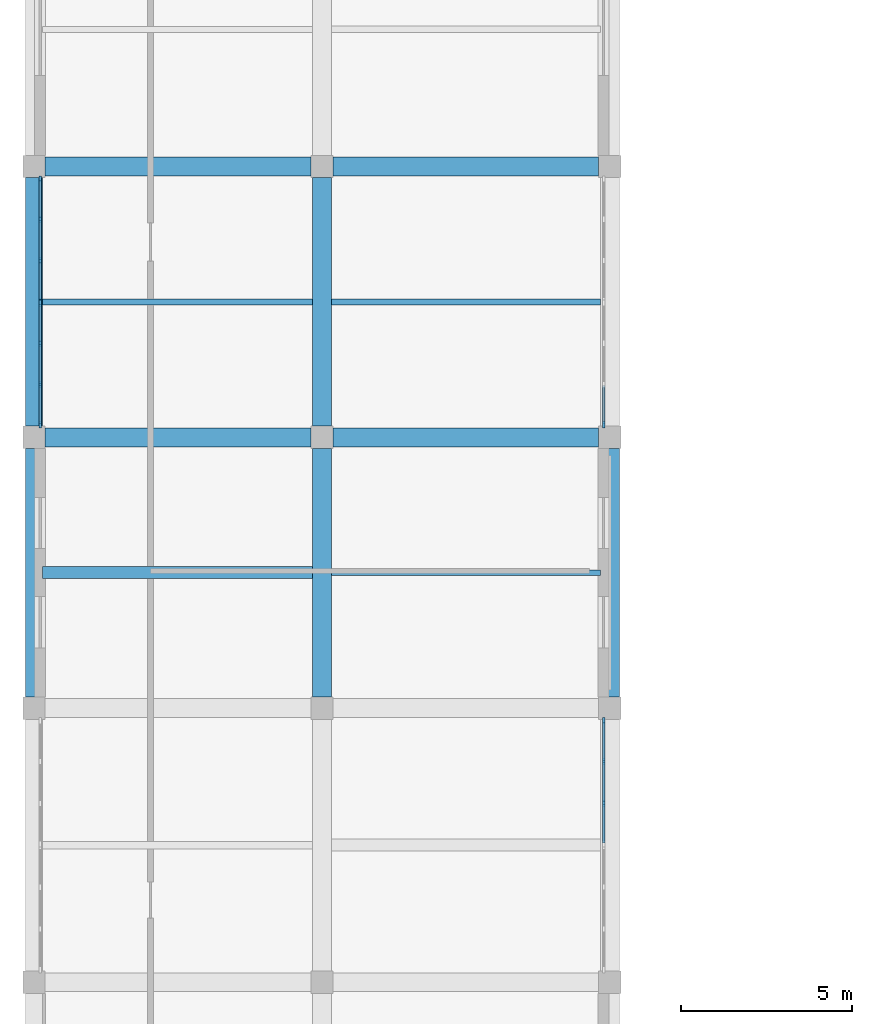
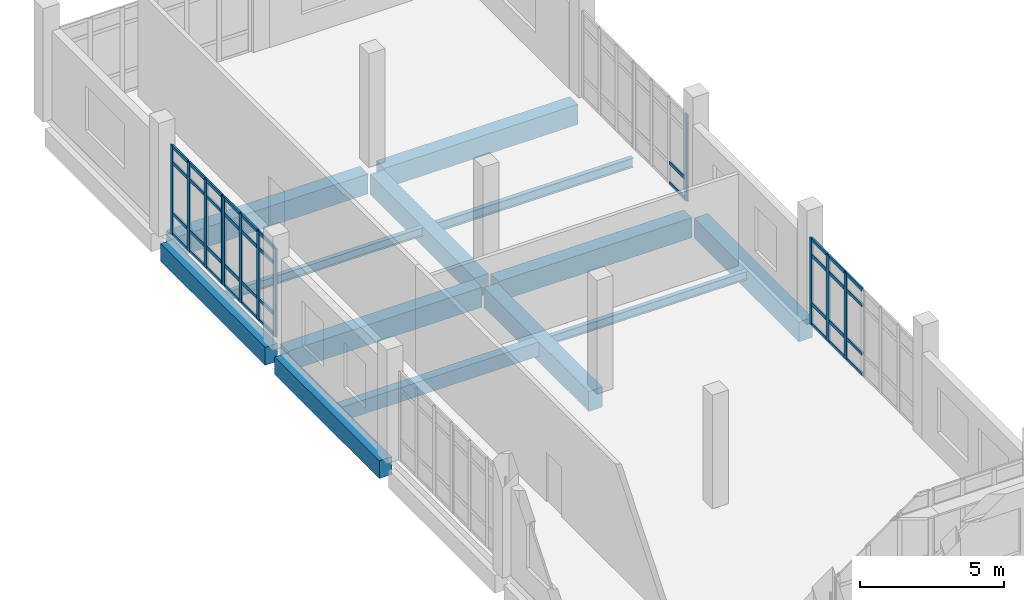
# One storey, part 10 of 90: 50 members, 13 beams, 4 elements without a shape of their own.
"""IFC4 building model written with IfcOpenShell, lengths in metres."""

from ifc_helpers import new_model, si_unit, direction, frame, origin, origin_2d, place, context, subcontext, project, spatial, rectangle, i_section, extrude, material, layer, layer_set, material_profile, profile_set, type_object, element, aggregate, save


model = new_model("IFC4")

# Units and contexts
model_context = context("Model", 3, precision=1e-05, world=origin(), true_north=direction((0.0, 1.0)))
body_context = subcontext(model_context, "Body", "Model", "MODEL_VIEW")
ifc_project = project(units=[si_unit("LENGTHUNIT", "METRE"), si_unit("AREAUNIT", "SQUARE_METRE"), si_unit("VOLUMEUNIT", "CUBIC_METRE"), si_unit("PLANEANGLEUNIT", "RADIAN"), si_unit("MASSUNIT", "GRAM", prefix="KILO")], contexts=[model_context])

# Site, building, storey
site_placement = place(None, origin())
site = spatial("IfcSite", under=ifc_project, at=site_placement, CompositionType="ELEMENT")
building_placement = place(site_placement, origin())
building = spatial("IfcBuilding", under=site, at=building_placement, Name="Kelarvand Opera House", CompositionType="ELEMENT")
storey_placement = place(building_placement, frame((0.0, 0.0, 5.39990234375)))
storey = spatial("IfcBuildingStorey", under=building, at=storey_placement, Name="L01", CompositionType="ELEMENT", Elevation=5.39990234375)

# Curtain wall, members
ifc_material_1 = material(Name="Thermally broken aluminium and low-E glazing", Category="aluminium")
ifc_layer_1 = layer(ifc_material_1, 0.179931640625, Name="Thermally broken aluminium and low-E glazing", Category="aluminium")
ifc_layer_set_1 = layer_set([ifc_layer_1], Name="Thermally broken aluminium and low-E glazing")
curtain_wall_type_1 = type_object("IfcCurtainWallType", Name="Unitised Low-E Curtain Wall 3611x3750 Mod 1350 CWF-29", PredefinedType="USERDEFINED", material=ifc_layer_set_1)
curtain_wall_1_placement = place(storey_placement, origin())
curtain_wall_1 = element("IfcCurtainWall", 1, at=curtain_wall_1_placement, inside=storey, type_object=curtain_wall_type_1, Name="V4 L01 Curtain Wall CWF-29 (141)", ObjectType="UNITISED CURTAIN WALL", PredefinedType="USERDEFINED")
ifc_material_2 = material(Name="Thermally broken anodised aluminium", Category="aluminium")
ifc_material_profile_1 = material_profile(ifc_material_2, rectangle(XDim=0.06494140625, YDim=0.179931640625, at=origin_2d()), Name="ALU MULLION 65x180", Category="aluminium")
ifc_profile_set_1 = profile_set([ifc_material_profile_1], Name="Thermally broken anodised aluminium")
member_type_1 = type_object("IfcMemberType", Name="Curtain Wall Mullion 65x180 Aluminium", PredefinedType="MULLION", material=ifc_profile_set_1)
member_1_placement = place(storey_placement, frame((9.179931640625, 62.867431640625, 0.0), z_axis=(0.0, 0.0, 1.0), x_axis=(-1.0, 0.0, 0.0)))
member_1 = element("IfcMember", 2, at=member_1_placement, type_object=member_type_1, Name="CWF-29 mullion 1", PredefinedType="MULLION", context=body_context, shape_type="SweptSolid", body=[
    extrude(rectangle(XDim=0.06494140625, YDim=0.179931640625, at=origin_2d()), origin(), (0.0, 0.0, 1.0), 3.75),
])
member_2_placement = place(storey_placement, frame((9.179931640625, 64.03857421875, 0.0), z_axis=(0.0, 0.0, 1.0), x_axis=(-1.0, 0.0, 0.0)))
member_2 = element("IfcMember", 3, at=member_2_placement, type_object=member_type_1, Name="CWF-29 mullion 2", PredefinedType="MULLION", context=body_context, shape_type="SweptSolid", body=[
    extrude(rectangle(XDim=0.06494140625, YDim=0.179931640625, at=origin_2d()), origin(), (0.0, 0.0, 1.0), 3.75),
])
member_3_placement = place(storey_placement, frame((9.179931640625, 65.242431640625, 0.0), z_axis=(0.0, 0.0, 1.0), x_axis=(-1.0, 0.0, 0.0)))
member_3 = element("IfcMember", 4, at=member_3_placement, type_object=member_type_1, Name="CWF-29 mullion 3", PredefinedType="MULLION", context=body_context, shape_type="SweptSolid", body=[
    extrude(rectangle(XDim=0.06494140625, YDim=0.179931640625, at=origin_2d()), origin(), (0.0, 0.0, 1.0), 3.75),
])
member_4_placement = place(storey_placement, frame((9.179931640625, 66.41357421875, 0.0), z_axis=(0.0, 0.0, 1.0), x_axis=(-1.0, 0.0, 0.0)))
member_4 = element("IfcMember", 5, at=member_4_placement, type_object=member_type_1, Name="CWF-29 mullion 4", PredefinedType="MULLION", context=body_context, shape_type="SweptSolid", body=[
    extrude(rectangle(XDim=0.06494140625, YDim=0.179931640625, at=origin_2d()), origin(), (0.0, 0.0, 1.0), 3.75),
])

curtain_wall_2_placement = place(storey_placement, origin())
curtain_wall_2 = element("IfcCurtainWall", 6, at=curtain_wall_2_placement, inside=storey, type_object=curtain_wall_type_1, Name="V4 L01 Curtain Wall CWF-29 (142)", ObjectType="UNITISED CURTAIN WALL", PredefinedType="USERDEFINED")
member_5_placement = place(storey_placement, frame((9.179931640625, 66.482421875, 0.0), z_axis=(0.0, 0.0, 1.0), x_axis=(-1.0, 0.0, 0.0)))
member_5 = element("IfcMember", 7, at=member_5_placement, type_object=member_type_1, Name="CWF-29 mullion 1", PredefinedType="MULLION", context=body_context, shape_type="SweptSolid", body=[
    extrude(rectangle(XDim=0.06494140625, YDim=0.179931640625, at=origin_2d()), origin(), (0.0, 0.0, 1.0), 3.75),
])
member_6_placement = place(storey_placement, frame((9.179931640625, 67.655029296875, 0.0), z_axis=(0.0, 0.0, 1.0), x_axis=(-1.0, 0.0, 0.0)))
member_6 = element("IfcMember", 8, at=member_6_placement, type_object=member_type_1, Name="CWF-29 mullion 2", PredefinedType="MULLION", context=body_context, shape_type="SweptSolid", body=[
    extrude(rectangle(XDim=0.06494140625, YDim=0.179931640625, at=origin_2d()), origin(), (0.0, 0.0, 1.0), 3.75),
])
member_7_placement = place(storey_placement, frame((9.179931640625, 68.860107421875, 0.0), z_axis=(0.0, 0.0, 1.0), x_axis=(-1.0, 0.0, 0.0)))
member_7 = element("IfcMember", 9, at=member_7_placement, type_object=member_type_1, Name="CWF-29 mullion 3", PredefinedType="MULLION", context=body_context, shape_type="SweptSolid", body=[
    extrude(rectangle(XDim=0.06494140625, YDim=0.179931640625, at=origin_2d()), origin(), (0.0, 0.0, 1.0), 3.75),
])
member_8_placement = place(storey_placement, frame((9.179931640625, 70.032470703125, 0.0), z_axis=(0.0, 0.0, 1.0), x_axis=(-1.0, 0.0, 0.0)))
member_8 = element("IfcMember", 10, at=member_8_placement, type_object=member_type_1, Name="CWF-29 mullion 4", PredefinedType="MULLION", context=body_context, shape_type="SweptSolid", body=[
    extrude(rectangle(XDim=0.06494140625, YDim=0.179931640625, at=origin_2d()), origin(), (0.0, 0.0, 1.0), 3.75),
])

# Curtain wall, member
ifc_layer_2 = layer(ifc_material_1, 0.179931640625, Name="Thermally broken aluminium and low-E glazing", Category="aluminium")
ifc_layer_set_2 = layer_set([ifc_layer_2], Name="Thermally broken aluminium and low-E glazing")
curtain_wall_type_2 = type_object("IfcCurtainWallType", Name="Unitised Low-E Curtain Wall 3611x3650 Mod 1350 CWF-31", PredefinedType="USERDEFINED", material=ifc_layer_set_2)
curtain_wall_3_placement = place(storey_placement, origin())
curtain_wall_3 = element("IfcCurtainWall", 11, at=curtain_wall_3_placement, inside=storey, type_object=curtain_wall_type_2, Name="V4 L01 Curtain Wall CWF-31 (146)", ObjectType="UNITISED CURTAIN WALL", PredefinedType="USERDEFINED")
member_9_placement = place(storey_placement, frame((25.6201171875, 62.867431640625, 0.0), z_axis=(0.0, 0.0, 1.0), x_axis=(1.0, 0.0, 0.0)))
member_9 = element("IfcMember", 12, at=member_9_placement, type_object=member_type_1, Name="CWF-31 mullion 4", PredefinedType="MULLION", context=body_context, shape_type="SweptSolid", body=[
    extrude(rectangle(XDim=0.06494140625, YDim=0.179931640625, at=origin_2d()), origin(), (0.0, 0.0, 1.0), 3.650146484375),
])

# Curtain wall, members
ifc_layer_3 = layer(ifc_material_1, 0.179931640625, Name="Thermally broken aluminium and low-E glazing", Category="aluminium")
ifc_layer_set_3 = layer_set([ifc_layer_3], Name="Thermally broken aluminium and low-E glazing")
curtain_wall_type_3 = type_object("IfcCurtainWallType", Name="Unitised Low-E Curtain Wall 3661x3650 Mod 1350 CWF-32", PredefinedType="USERDEFINED", material=ifc_layer_set_3)
curtain_wall_4_placement = place(storey_placement, origin())
curtain_wall_4 = element("IfcCurtainWall", 13, at=curtain_wall_4_placement, inside=storey, type_object=curtain_wall_type_3, Name="V4 L01 Curtain Wall CWF-32 (147)", ObjectType="UNITISED CURTAIN WALL", PredefinedType="USERDEFINED")
member_10_placement = place(storey_placement, frame((25.6201171875, 54.232421875, 0.0), z_axis=(0.0, 0.0, 1.0), x_axis=(1.0, 0.0, 0.0)))
member_10 = element("IfcMember", 14, at=member_10_placement, type_object=member_type_1, Name="CWF-32 mullion 1", PredefinedType="MULLION", context=body_context, shape_type="SweptSolid", body=[
    extrude(rectangle(XDim=0.06494140625, YDim=0.179931640625, at=origin_2d()), origin(), (0.0, 0.0, 1.0), 3.650146484375),
])
member_11_placement = place(storey_placement, frame((25.6201171875, 53.044677734375, 0.0), z_axis=(0.0, 0.0, 1.0), x_axis=(1.0, 0.0, 0.0)))
member_11 = element("IfcMember", 15, at=member_11_placement, type_object=member_type_1, Name="CWF-32 mullion 2", PredefinedType="MULLION", context=body_context, shape_type="SweptSolid", body=[
    extrude(rectangle(XDim=0.06494140625, YDim=0.179931640625, at=origin_2d()), origin(), (0.0, 0.0, 1.0), 3.650146484375),
])
member_12_placement = place(storey_placement, frame((25.6201171875, 51.82421875, 0.0), z_axis=(0.0, 0.0, 1.0), x_axis=(1.0, 0.0, 0.0)))
member_12 = element("IfcMember", 16, at=member_12_placement, type_object=member_type_1, Name="CWF-32 mullion 3", PredefinedType="MULLION", context=body_context, shape_type="SweptSolid", body=[
    extrude(rectangle(XDim=0.06494140625, YDim=0.179931640625, at=origin_2d()), origin(), (0.0, 0.0, 1.0), 3.650146484375),
])

# Member
ifc_material_profile_2 = material_profile(ifc_material_2, rectangle(XDim=0.06494140625, YDim=0.139892578125, at=origin_2d()), Name="ALU TRANSOM 65x140", Category="aluminium")
ifc_profile_set_2 = profile_set([ifc_material_profile_2], Name="Thermally broken anodised aluminium")
member_type_2 = type_object("IfcMemberType", Name="Curtain Wall Transom 65x140 Aluminium", PredefinedType="USERDEFINED", material=ifc_profile_set_2)
member_13_placement = place(storey_placement, frame((9.179931640625, 62.89990234375, 0.03271484375), z_axis=(0.0, 1.0, 0.0), x_axis=(-1.0, 0.0, 0.0)))
member_13 = element("IfcMember", 17, at=member_13_placement, type_object=member_type_2, Name="CWF-29 transom 1.1", ObjectType="TRANSOM", PredefinedType="USERDEFINED", context=body_context, shape_type="SweptSolid", body=[
    extrude(rectangle(XDim=0.06494140625, YDim=0.139892578125, at=origin_2d()), origin(), (0.0, 0.0, 1.0), 1.106201171875),
])

member_14_placement = place(storey_placement, frame((9.179931640625, 62.89990234375, 0.900146484375), z_axis=(0.0, 1.0, 0.0), x_axis=(-1.0, 0.0, 0.0)))
member_14 = element("IfcMember", 18, at=member_14_placement, type_object=member_type_2, Name="CWF-29 transom 1.2", ObjectType="TRANSOM", PredefinedType="USERDEFINED", context=body_context, shape_type="SweptSolid", body=[
    extrude(rectangle(XDim=0.06494140625, YDim=0.139892578125, at=origin_2d()), origin(), (0.0, 0.0, 1.0), 1.106201171875),
])

member_15_placement = place(storey_placement, frame((9.179931640625, 62.89990234375, 3.050048828125), z_axis=(0.0, 1.0, 0.0), x_axis=(-1.0, 0.0, 0.0)))
member_15 = element("IfcMember", 19, at=member_15_placement, type_object=member_type_2, Name="CWF-29 transom 1.3", ObjectType="TRANSOM", PredefinedType="USERDEFINED", context=body_context, shape_type="SweptSolid", body=[
    extrude(rectangle(XDim=0.06494140625, YDim=0.139892578125, at=origin_2d()), origin(), (0.0, 0.0, 1.0), 1.106201171875),
])

member_16_placement = place(storey_placement, frame((9.179931640625, 62.89990234375, 3.717529296875), z_axis=(0.0, 1.0, 0.0), x_axis=(-1.0, 0.0, 0.0)))
member_16 = element("IfcMember", 20, at=member_16_placement, type_object=member_type_2, Name="CWF-29 transom 1.4", ObjectType="TRANSOM", PredefinedType="USERDEFINED", context=body_context, shape_type="SweptSolid", body=[
    extrude(rectangle(XDim=0.06494140625, YDim=0.139892578125, at=origin_2d()), origin(), (0.0, 0.0, 1.0), 1.106201171875),
])

member_17_placement = place(storey_placement, frame((9.179931640625, 64.071044921875, 0.03271484375), z_axis=(0.0, 1.0, 0.0), x_axis=(-1.0, 0.0, 0.0)))
member_17 = element("IfcMember", 21, at=member_17_placement, type_object=member_type_2, Name="CWF-29 transom 2.1", ObjectType="TRANSOM", PredefinedType="USERDEFINED", context=body_context, shape_type="SweptSolid", body=[
    extrude(rectangle(XDim=0.06494140625, YDim=0.139892578125, at=origin_2d()), origin(), (0.0, 0.0, 1.0), 1.138671875),
])

member_18_placement = place(storey_placement, frame((9.179931640625, 64.071044921875, 0.900146484375), z_axis=(0.0, 1.0, 0.0), x_axis=(-1.0, 0.0, 0.0)))
member_18 = element("IfcMember", 22, at=member_18_placement, type_object=member_type_2, Name="CWF-29 transom 2.2", ObjectType="TRANSOM", PredefinedType="USERDEFINED", context=body_context, shape_type="SweptSolid", body=[
    extrude(rectangle(XDim=0.06494140625, YDim=0.139892578125, at=origin_2d()), origin(), (0.0, 0.0, 1.0), 1.138671875),
])

member_19_placement = place(storey_placement, frame((9.179931640625, 64.071044921875, 3.050048828125), z_axis=(0.0, 1.0, 0.0), x_axis=(-1.0, 0.0, 0.0)))
member_19 = element("IfcMember", 23, at=member_19_placement, type_object=member_type_2, Name="CWF-29 transom 2.3", ObjectType="TRANSOM", PredefinedType="USERDEFINED", context=body_context, shape_type="SweptSolid", body=[
    extrude(rectangle(XDim=0.06494140625, YDim=0.139892578125, at=origin_2d()), origin(), (0.0, 0.0, 1.0), 1.138671875),
])

member_20_placement = place(storey_placement, frame((9.179931640625, 64.071044921875, 3.717529296875), z_axis=(0.0, 1.0, 0.0), x_axis=(-1.0, 0.0, 0.0)))
member_20 = element("IfcMember", 24, at=member_20_placement, type_object=member_type_2, Name="CWF-29 transom 2.4", ObjectType="TRANSOM", PredefinedType="USERDEFINED", context=body_context, shape_type="SweptSolid", body=[
    extrude(rectangle(XDim=0.06494140625, YDim=0.139892578125, at=origin_2d()), origin(), (0.0, 0.0, 1.0), 1.138671875),
])

member_21_placement = place(storey_placement, frame((9.179931640625, 65.27490234375, 0.03271484375), z_axis=(0.0, 1.0, 0.0), x_axis=(-1.0, 0.0, 0.0)))
member_21 = element("IfcMember", 25, at=member_21_placement, type_object=member_type_2, Name="CWF-29 transom 3.1", ObjectType="TRANSOM", PredefinedType="USERDEFINED", context=body_context, shape_type="SweptSolid", body=[
    extrude(rectangle(XDim=0.06494140625, YDim=0.139892578125, at=origin_2d()), origin(), (0.0, 0.0, 1.0), 1.106201171875),
])

member_22_placement = place(storey_placement, frame((9.179931640625, 65.27490234375, 0.900146484375), z_axis=(0.0, 1.0, 0.0), x_axis=(-1.0, 0.0, 0.0)))
member_22 = element("IfcMember", 26, at=member_22_placement, type_object=member_type_2, Name="CWF-29 transom 3.2", ObjectType="TRANSOM", PredefinedType="USERDEFINED", context=body_context, shape_type="SweptSolid", body=[
    extrude(rectangle(XDim=0.06494140625, YDim=0.139892578125, at=origin_2d()), origin(), (0.0, 0.0, 1.0), 1.106201171875),
])

member_23_placement = place(storey_placement, frame((9.179931640625, 65.27490234375, 3.050048828125), z_axis=(0.0, 1.0, 0.0), x_axis=(-1.0, 0.0, 0.0)))
member_23 = element("IfcMember", 27, at=member_23_placement, type_object=member_type_2, Name="CWF-29 transom 3.3", ObjectType="TRANSOM", PredefinedType="USERDEFINED", context=body_context, shape_type="SweptSolid", body=[
    extrude(rectangle(XDim=0.06494140625, YDim=0.139892578125, at=origin_2d()), origin(), (0.0, 0.0, 1.0), 1.106201171875),
])

member_24_placement = place(storey_placement, frame((9.179931640625, 65.27490234375, 3.717529296875), z_axis=(0.0, 1.0, 0.0), x_axis=(-1.0, 0.0, 0.0)))
member_24 = element("IfcMember", 28, at=member_24_placement, type_object=member_type_2, Name="CWF-29 transom 3.4", ObjectType="TRANSOM", PredefinedType="USERDEFINED", context=body_context, shape_type="SweptSolid", body=[
    extrude(rectangle(XDim=0.06494140625, YDim=0.139892578125, at=origin_2d()), origin(), (0.0, 0.0, 1.0), 1.106201171875),
])

aggregate(curtain_wall_1, [member_1, member_2, member_3, member_4, member_13, member_14, member_15, member_16, member_17, member_18, member_19, member_20, member_21, member_22, member_23, member_24])

member_25_placement = place(storey_placement, frame((9.179931640625, 66.514892578125, 0.03271484375), z_axis=(0.0, 1.0, 0.0), x_axis=(-1.0, 0.0, 0.0)))
member_25 = element("IfcMember", 29, at=member_25_placement, type_object=member_type_2, Name="CWF-29 transom 1.1", ObjectType="TRANSOM", PredefinedType="USERDEFINED", context=body_context, shape_type="SweptSolid", body=[
    extrude(rectangle(XDim=0.06494140625, YDim=0.139892578125, at=origin_2d()), origin(), (0.0, 0.0, 1.0), 1.107666015625),
])

member_26_placement = place(storey_placement, frame((9.179931640625, 66.514892578125, 0.900146484375), z_axis=(0.0, 1.0, 0.0), x_axis=(-1.0, 0.0, 0.0)))
member_26 = element("IfcMember", 30, at=member_26_placement, type_object=member_type_2, Name="CWF-29 transom 1.2", ObjectType="TRANSOM", PredefinedType="USERDEFINED", context=body_context, shape_type="SweptSolid", body=[
    extrude(rectangle(XDim=0.06494140625, YDim=0.139892578125, at=origin_2d()), origin(), (0.0, 0.0, 1.0), 1.107666015625),
])

member_27_placement = place(storey_placement, frame((9.179931640625, 66.514892578125, 3.050048828125), z_axis=(0.0, 1.0, 0.0), x_axis=(-1.0, 0.0, 0.0)))
member_27 = element("IfcMember", 31, at=member_27_placement, type_object=member_type_2, Name="CWF-29 transom 1.3", ObjectType="TRANSOM", PredefinedType="USERDEFINED", context=body_context, shape_type="SweptSolid", body=[
    extrude(rectangle(XDim=0.06494140625, YDim=0.139892578125, at=origin_2d()), origin(), (0.0, 0.0, 1.0), 1.107666015625),
])

member_28_placement = place(storey_placement, frame((9.179931640625, 66.514892578125, 3.717529296875), z_axis=(0.0, 1.0, 0.0), x_axis=(-1.0, 0.0, 0.0)))
member_28 = element("IfcMember", 32, at=member_28_placement, type_object=member_type_2, Name="CWF-29 transom 1.4", ObjectType="TRANSOM", PredefinedType="USERDEFINED", context=body_context, shape_type="SweptSolid", body=[
    extrude(rectangle(XDim=0.06494140625, YDim=0.139892578125, at=origin_2d()), origin(), (0.0, 0.0, 1.0), 1.107666015625),
])

member_29_placement = place(storey_placement, frame((9.179931640625, 67.6875, 0.03271484375), z_axis=(0.0, 1.0, 0.0), x_axis=(-1.0, 0.0, 0.0)))
member_29 = element("IfcMember", 33, at=member_29_placement, type_object=member_type_2, Name="CWF-29 transom 2.1", ObjectType="TRANSOM", PredefinedType="USERDEFINED", context=body_context, shape_type="SweptSolid", body=[
    extrude(rectangle(XDim=0.06494140625, YDim=0.139892578125, at=origin_2d()), origin(), (0.0, 0.0, 1.0), 1.139892578125),
])

member_30_placement = place(storey_placement, frame((9.179931640625, 67.6875, 0.900146484375), z_axis=(0.0, 1.0, 0.0), x_axis=(-1.0, 0.0, 0.0)))
member_30 = element("IfcMember", 34, at=member_30_placement, type_object=member_type_2, Name="CWF-29 transom 2.2", ObjectType="TRANSOM", PredefinedType="USERDEFINED", context=body_context, shape_type="SweptSolid", body=[
    extrude(rectangle(XDim=0.06494140625, YDim=0.139892578125, at=origin_2d()), origin(), (0.0, 0.0, 1.0), 1.139892578125),
])

member_31_placement = place(storey_placement, frame((9.179931640625, 67.6875, 3.050048828125), z_axis=(0.0, 1.0, 0.0), x_axis=(-1.0, 0.0, 0.0)))
member_31 = element("IfcMember", 35, at=member_31_placement, type_object=member_type_2, Name="CWF-29 transom 2.3", ObjectType="TRANSOM", PredefinedType="USERDEFINED", context=body_context, shape_type="SweptSolid", body=[
    extrude(rectangle(XDim=0.06494140625, YDim=0.139892578125, at=origin_2d()), origin(), (0.0, 0.0, 1.0), 1.139892578125),
])

member_32_placement = place(storey_placement, frame((9.179931640625, 67.6875, 3.717529296875), z_axis=(0.0, 1.0, 0.0), x_axis=(-1.0, 0.0, 0.0)))
member_32 = element("IfcMember", 36, at=member_32_placement, type_object=member_type_2, Name="CWF-29 transom 2.4", ObjectType="TRANSOM", PredefinedType="USERDEFINED", context=body_context, shape_type="SweptSolid", body=[
    extrude(rectangle(XDim=0.06494140625, YDim=0.139892578125, at=origin_2d()), origin(), (0.0, 0.0, 1.0), 1.139892578125),
])

member_33_placement = place(storey_placement, frame((9.179931640625, 68.892578125, 0.03271484375), z_axis=(0.0, 1.0, 0.0), x_axis=(-1.0, 0.0, 0.0)))
member_33 = element("IfcMember", 37, at=member_33_placement, type_object=member_type_2, Name="CWF-29 transom 3.1", ObjectType="TRANSOM", PredefinedType="USERDEFINED", context=body_context, shape_type="SweptSolid", body=[
    extrude(rectangle(XDim=0.06494140625, YDim=0.139892578125, at=origin_2d()), origin(), (0.0, 0.0, 1.0), 1.107421875),
])

member_34_placement = place(storey_placement, frame((9.179931640625, 68.892578125, 0.900146484375), z_axis=(0.0, 1.0, 0.0), x_axis=(-1.0, 0.0, 0.0)))
member_34 = element("IfcMember", 38, at=member_34_placement, type_object=member_type_2, Name="CWF-29 transom 3.2", ObjectType="TRANSOM", PredefinedType="USERDEFINED", context=body_context, shape_type="SweptSolid", body=[
    extrude(rectangle(XDim=0.06494140625, YDim=0.139892578125, at=origin_2d()), origin(), (0.0, 0.0, 1.0), 1.107421875),
])

member_35_placement = place(storey_placement, frame((9.179931640625, 68.892578125, 3.050048828125), z_axis=(0.0, 1.0, 0.0), x_axis=(-1.0, 0.0, 0.0)))
member_35 = element("IfcMember", 39, at=member_35_placement, type_object=member_type_2, Name="CWF-29 transom 3.3", ObjectType="TRANSOM", PredefinedType="USERDEFINED", context=body_context, shape_type="SweptSolid", body=[
    extrude(rectangle(XDim=0.06494140625, YDim=0.139892578125, at=origin_2d()), origin(), (0.0, 0.0, 1.0), 1.107421875),
])

member_36_placement = place(storey_placement, frame((9.179931640625, 68.892578125, 3.717529296875), z_axis=(0.0, 1.0, 0.0), x_axis=(-1.0, 0.0, 0.0)))
member_36 = element("IfcMember", 40, at=member_36_placement, type_object=member_type_2, Name="CWF-29 transom 3.4", ObjectType="TRANSOM", PredefinedType="USERDEFINED", context=body_context, shape_type="SweptSolid", body=[
    extrude(rectangle(XDim=0.06494140625, YDim=0.139892578125, at=origin_2d()), origin(), (0.0, 0.0, 1.0), 1.107421875),
])

aggregate(curtain_wall_2, [member_5, member_6, member_7, member_8, member_25, member_26, member_27, member_28, member_29, member_30, member_31, member_32, member_33, member_34, member_35, member_36])

member_37_placement = place(storey_placement, frame((25.6201171875, 64.007568359375, 0.03271484375), z_axis=(0.0, -1.0, 0.0), x_axis=(1.0, 0.0, 0.0)))
member_37 = element("IfcMember", 41, at=member_37_placement, type_object=member_type_2, Name="CWF-31 transom 3.1", ObjectType="TRANSOM", PredefinedType="USERDEFINED", context=body_context, shape_type="SweptSolid", body=[
    extrude(rectangle(XDim=0.06494140625, YDim=0.139892578125, at=origin_2d()), origin(), (0.0, 0.0, 1.0), 1.107666015625),
])

member_38_placement = place(storey_placement, frame((25.6201171875, 64.007568359375, 0.900146484375), z_axis=(0.0, -1.0, 0.0), x_axis=(1.0, 0.0, 0.0)))
member_38 = element("IfcMember", 42, at=member_38_placement, type_object=member_type_2, Name="CWF-31 transom 3.2", ObjectType="TRANSOM", PredefinedType="USERDEFINED", context=body_context, shape_type="SweptSolid", body=[
    extrude(rectangle(XDim=0.06494140625, YDim=0.139892578125, at=origin_2d()), origin(), (0.0, 0.0, 1.0), 1.107666015625),
])

aggregate(curtain_wall_3, [member_9, member_37, member_38])

member_39_placement = place(storey_placement, frame((25.6201171875, 54.199951171875, 0.03271484375), z_axis=(0.0, -1.0, 0.0), x_axis=(1.0, 0.0, 0.0)))
member_39 = element("IfcMember", 43, at=member_39_placement, type_object=member_type_2, Name="CWF-32 transom 1.1", ObjectType="TRANSOM", PredefinedType="USERDEFINED", context=body_context, shape_type="SweptSolid", body=[
    extrude(rectangle(XDim=0.06494140625, YDim=0.139892578125, at=origin_2d()), origin(), (0.0, 0.0, 1.0), 1.122802734375),
])

member_40_placement = place(storey_placement, frame((25.6201171875, 54.199951171875, 0.900146484375), z_axis=(0.0, -1.0, 0.0), x_axis=(1.0, 0.0, 0.0)))
member_40 = element("IfcMember", 44, at=member_40_placement, type_object=member_type_2, Name="CWF-32 transom 1.2", ObjectType="TRANSOM", PredefinedType="USERDEFINED", context=body_context, shape_type="SweptSolid", body=[
    extrude(rectangle(XDim=0.06494140625, YDim=0.139892578125, at=origin_2d()), origin(), (0.0, 0.0, 1.0), 1.122802734375),
])

member_41_placement = place(storey_placement, frame((25.6201171875, 54.199951171875, 2.9501953125), z_axis=(0.0, -1.0, 0.0), x_axis=(1.0, 0.0, 0.0)))
member_41 = element("IfcMember", 45, at=member_41_placement, type_object=member_type_2, Name="CWF-32 transom 1.3", ObjectType="TRANSOM", PredefinedType="USERDEFINED", context=body_context, shape_type="SweptSolid", body=[
    extrude(rectangle(XDim=0.06494140625, YDim=0.139892578125, at=origin_2d()), origin(), (0.0, 0.0, 1.0), 1.122802734375),
])

member_42_placement = place(storey_placement, frame((25.6201171875, 54.199951171875, 3.61767578125), z_axis=(0.0, -1.0, 0.0), x_axis=(1.0, 0.0, 0.0)))
member_42 = element("IfcMember", 46, at=member_42_placement, type_object=member_type_2, Name="CWF-32 transom 1.4", ObjectType="TRANSOM", PredefinedType="USERDEFINED", context=body_context, shape_type="SweptSolid", body=[
    extrude(rectangle(XDim=0.06494140625, YDim=0.139892578125, at=origin_2d()), origin(), (0.0, 0.0, 1.0), 1.122802734375),
])

member_43_placement = place(storey_placement, frame((25.6201171875, 53.01220703125, 0.03271484375), z_axis=(0.0, -1.0, 0.0), x_axis=(1.0, 0.0, 0.0)))
member_43 = element("IfcMember", 47, at=member_43_placement, type_object=member_type_2, Name="CWF-32 transom 2.1", ObjectType="TRANSOM", PredefinedType="USERDEFINED", context=body_context, shape_type="SweptSolid", body=[
    extrude(rectangle(XDim=0.06494140625, YDim=0.139892578125, at=origin_2d()), origin(), (0.0, 0.0, 1.0), 1.1552734375),
])

member_44_placement = place(storey_placement, frame((25.6201171875, 53.01220703125, 0.900146484375), z_axis=(0.0, -1.0, 0.0), x_axis=(1.0, 0.0, 0.0)))
member_44 = element("IfcMember", 48, at=member_44_placement, type_object=member_type_2, Name="CWF-32 transom 2.2", ObjectType="TRANSOM", PredefinedType="USERDEFINED", context=body_context, shape_type="SweptSolid", body=[
    extrude(rectangle(XDim=0.06494140625, YDim=0.139892578125, at=origin_2d()), origin(), (0.0, 0.0, 1.0), 1.1552734375),
])

member_45_placement = place(storey_placement, frame((25.6201171875, 53.01220703125, 2.9501953125), z_axis=(0.0, -1.0, 0.0), x_axis=(1.0, 0.0, 0.0)))
member_45 = element("IfcMember", 49, at=member_45_placement, type_object=member_type_2, Name="CWF-32 transom 2.3", ObjectType="TRANSOM", PredefinedType="USERDEFINED", context=body_context, shape_type="SweptSolid", body=[
    extrude(rectangle(XDim=0.06494140625, YDim=0.139892578125, at=origin_2d()), origin(), (0.0, 0.0, 1.0), 1.1552734375),
])

member_46_placement = place(storey_placement, frame((25.6201171875, 53.01220703125, 3.61767578125), z_axis=(0.0, -1.0, 0.0), x_axis=(1.0, 0.0, 0.0)))
member_46 = element("IfcMember", 50, at=member_46_placement, type_object=member_type_2, Name="CWF-32 transom 2.4", ObjectType="TRANSOM", PredefinedType="USERDEFINED", context=body_context, shape_type="SweptSolid", body=[
    extrude(rectangle(XDim=0.06494140625, YDim=0.139892578125, at=origin_2d()), origin(), (0.0, 0.0, 1.0), 1.1552734375),
])

member_47_placement = place(storey_placement, frame((25.6201171875, 51.791748046875, 0.03271484375), z_axis=(0.0, -1.0, 0.0), x_axis=(1.0, 0.0, 0.0)))
member_47 = element("IfcMember", 51, at=member_47_placement, type_object=member_type_2, Name="CWF-32 transom 3.1", ObjectType="TRANSOM", PredefinedType="USERDEFINED", context=body_context, shape_type="SweptSolid", body=[
    extrude(rectangle(XDim=0.06494140625, YDim=0.139892578125, at=origin_2d()), origin(), (0.0, 0.0, 1.0), 1.122802734375),
])

member_48_placement = place(storey_placement, frame((25.6201171875, 51.791748046875, 0.900146484375), z_axis=(0.0, -1.0, 0.0), x_axis=(1.0, 0.0, 0.0)))
member_48 = element("IfcMember", 52, at=member_48_placement, type_object=member_type_2, Name="CWF-32 transom 3.2", ObjectType="TRANSOM", PredefinedType="USERDEFINED", context=body_context, shape_type="SweptSolid", body=[
    extrude(rectangle(XDim=0.06494140625, YDim=0.139892578125, at=origin_2d()), origin(), (0.0, 0.0, 1.0), 1.122802734375),
])

member_49_placement = place(storey_placement, frame((25.6201171875, 51.791748046875, 2.9501953125), z_axis=(0.0, -1.0, 0.0), x_axis=(1.0, 0.0, 0.0)))
member_49 = element("IfcMember", 53, at=member_49_placement, type_object=member_type_2, Name="CWF-32 transom 3.3", ObjectType="TRANSOM", PredefinedType="USERDEFINED", context=body_context, shape_type="SweptSolid", body=[
    extrude(rectangle(XDim=0.06494140625, YDim=0.139892578125, at=origin_2d()), origin(), (0.0, 0.0, 1.0), 1.122802734375),
])

member_50_placement = place(storey_placement, frame((25.6201171875, 51.791748046875, 3.61767578125), z_axis=(0.0, -1.0, 0.0), x_axis=(1.0, 0.0, 0.0)))
member_50 = element("IfcMember", 54, at=member_50_placement, type_object=member_type_2, Name="CWF-32 transom 3.4", ObjectType="TRANSOM", PredefinedType="USERDEFINED", context=body_context, shape_type="SweptSolid", body=[
    extrude(rectangle(XDim=0.06494140625, YDim=0.139892578125, at=origin_2d()), origin(), (0.0, 0.0, 1.0), 1.122802734375),
])

aggregate(curtain_wall_4, [member_10, member_11, member_12, member_39, member_40, member_41, member_42, member_43, member_44, member_45, member_46, member_47, member_48, member_49, member_50])

# Beams
ifc_material_3 = material(Name="Concrete C35/45", Category="concrete")
ifc_material_profile_3 = material_profile(ifc_material_3, rectangle(XDim=0.35009765625, YDim=0.60009765625, at=origin_2d()), Name="RC 350x600", Category="concrete")
ifc_profile_set_3 = profile_set([ifc_material_profile_3], Name="Concrete C35/45")
beam_type_1 = type_object("IfcBeamType", Name="Structural Beam RC 350x600 BM-RC350x600", PredefinedType="BEAM", material=ifc_profile_set_3)
beam_1_placement = place(storey_placement, frame((9.25, 58.550048828125, -0.599853515625), z_axis=(1.0, 0.0, 0.0), x_axis=(0.0, 1.0, 0.0)))
element("IfcBeam", 55, at=beam_1_placement, inside=storey, type_object=beam_type_1, Name="V4 L01 Beam BM-RC350x600", PredefinedType="BEAM", context=body_context, shape_type="SweptSolid", body=[
    extrude(rectangle(XDim=0.35009765625, YDim=0.60009765625, at=origin_2d()), origin(), (0.0, 0.0, 1.0), 7.875),
])
ifc_material_4 = material(Name="Concrete C40/50", Category="concrete")
ifc_material_profile_4 = material_profile(ifc_material_4, rectangle(XDim=0.550048828125, YDim=0.85009765625, at=origin_2d()), Name="RC 550x850", Category="concrete")
ifc_profile_set_4 = profile_set([ifc_material_profile_4], Name="Concrete C40/50")
beam_type_2 = type_object("IfcBeamType", Name="Structural Beam RC 550x850 BM-RC550x850", PredefinedType="BEAM", material=ifc_profile_set_4)
for number, where, z_axis, x_axis, name in (
    (56, (9.324951171875, 62.5, -0.724853515625), (1.0, 0.0, 0.0), (0.0, 1.0, 0.0), "V4 L01 Beam BM-RC550x850"),
    (57, (17.72509765625, 62.5, -0.724853515625), (1.0, 0.0, 0.0), (0.0, 1.0, 0.0), "V4 L01 Beam BM-RC550x850"),
    (58, (9.324951171875, 70.39990234375, -0.724853515625), (1.0, 0.0, 0.0), (0.0, 1.0, 0.0), "V4 L01 Beam BM-RC550x850"),
    (59, (17.72509765625, 70.39990234375, -0.724853515625), (1.0, 0.0, 0.0), (0.0, 1.0, 0.0), "V4 L01 Beam BM-RC550x850"),
):
    element("IfcBeam", number, at=place(storey_placement, frame(where, z_axis=z_axis, x_axis=x_axis)), inside=storey, type_object=beam_type_2, Name=name, PredefinedType="BEAM", context=body_context, shape_type="SweptSolid", body=[
        extrude(rectangle(XDim=0.550048828125, YDim=0.85009765625, at=origin_2d()), origin(), (0.0, 0.0, 1.0), 7.75),
    ])
for number, where, z_axis, x_axis, name in (
    (60, (17.39990234375, 54.925048828125, -0.724853515625), (0.0, 1.0, 0.0), (-1.0, 0.0, 0.0), "V4 L01 Beam BM-RC550x850"),
    (61, (17.39990234375, 62.824951171875, -0.724853515625), (0.0, 1.0, 0.0), (-1.0, 0.0, 0.0), "V4 L01 Beam BM-RC550x850"),
    (62, (25.800048828125, 54.925048828125, -0.724853515625), (0.0, 1.0, 0.0), (-1.0, 0.0, 0.0), "V4 L01 Beam BM-RC550x850"),
):
    element("IfcBeam", number, at=place(storey_placement, frame(where, z_axis=z_axis, x_axis=x_axis)), inside=storey, type_object=beam_type_2, Name=name, PredefinedType="BEAM", context=body_context, shape_type="SweptSolid", body=[
        extrude(rectangle(XDim=0.550048828125, YDim=0.85009765625, at=origin_2d()), origin(), (0.0, 0.0, 1.0), 7.25),
    ])
ifc_material_5 = material(Name="Steel S355", Category="steel")
ifc_material_profile_5 = material_profile(ifc_material_5, i_section(OverallWidth=0.169921875, OverallDepth=0.360107421875, WebThickness=0.008056640625, FlangeThickness=0.0126953125, at=origin_2d()), Name="IPE 360", Category="steel")
ifc_profile_set_5 = profile_set([ifc_material_profile_5], Name="Steel S355")
beam_type_3 = type_object("IfcBeamType", Name="Structural Joist IPE 360 JS-IPE360", PredefinedType="JOIST", material=ifc_profile_set_5)
beam_2_placement = place(storey_placement, frame((9.25, 66.449951171875, -0.47998046875), z_axis=(1.0, 0.0, 0.0), x_axis=(0.0, 1.0, 0.0)))
element("IfcBeam", 63, at=beam_2_placement, inside=storey, type_object=beam_type_3, Name="V4 L01 Beam JS-IPE360", PredefinedType="JOIST", context=body_context, shape_type="SweptSolid", body=[
    extrude(i_section(OverallWidth=0.169921875, OverallDepth=0.360107421875, WebThickness=0.008056640625, FlangeThickness=0.0126953125, at=origin_2d()), origin(), (0.0, 0.0, 1.0), 7.875),
])
beam_3_placement = place(storey_placement, frame((17.675048828125, 58.550048828125, -0.47998046875), z_axis=(1.0, 0.0, 0.0), x_axis=(0.0, 1.0, 0.0)))
element("IfcBeam", 64, at=beam_3_placement, inside=storey, type_object=beam_type_3, Name="V4 L01 Beam JS-IPE360", PredefinedType="JOIST", context=body_context, shape_type="SweptSolid", body=[
    extrude(i_section(OverallWidth=0.169921875, OverallDepth=0.360107421875, WebThickness=0.008056640625, FlangeThickness=0.0126953125, at=origin_2d()), origin(), (0.0, 0.0, 1.0), 7.849853515625),
])
ifc_material_profile_6 = material_profile(ifc_material_5, i_section(OverallWidth=0.179931640625, OverallDepth=0.39990234375, WebThickness=0.008544921875, FlangeThickness=0.013427734375, at=origin_2d()), Name="IPE 400", Category="steel")
ifc_profile_set_6 = profile_set([ifc_material_profile_6], Name="Steel S355")
beam_type_4 = type_object("IfcBeamType", Name="Structural Joist IPE 400 JS-IPE400", PredefinedType="JOIST", material=ifc_profile_set_6)
beam_4_placement = place(storey_placement, frame((17.675048828125, 66.449951171875, -0.5), z_axis=(1.0, 0.0, 0.0), x_axis=(0.0, 1.0, 0.0)))
element("IfcBeam", 65, at=beam_4_placement, inside=storey, type_object=beam_type_4, Name="V4 L01 Beam JS-IPE400", PredefinedType="JOIST", context=body_context, shape_type="SweptSolid", body=[
    extrude(i_section(OverallWidth=0.179931640625, OverallDepth=0.39990234375, WebThickness=0.008544921875, FlangeThickness=0.013427734375, at=origin_2d()), origin(), (0.0, 0.0, 1.0), 7.849853515625),
])
ifc_material_profile_7 = material_profile(ifc_material_4, rectangle(XDim=0.5, YDim=0.75, at=origin_2d()), Name="RC 500x750", Category="concrete")
ifc_profile_set_7 = profile_set([ifc_material_profile_7], Name="Concrete C40/50")
beam_type_5 = type_object("IfcBeamType", Name="Structural Spandrel RC 500x750 SP-RC500x750E", PredefinedType="SPANDREL", material=ifc_profile_set_7)
for number, where, z_axis, x_axis, name in (
    (66, (9.0, 54.925048828125, -0.6748046875), (0.0, 1.0, 0.0), (-1.0, 0.0, 0.0), "V4 L01 Beam SP-RC500x750E"),
    (67, (9.0, 62.824951171875, -0.6748046875), (0.0, 1.0, 0.0), (-1.0, 0.0, 0.0), "V4 L01 Beam SP-RC500x750E"),
):
    element("IfcBeam", number, at=place(storey_placement, frame(where, z_axis=z_axis, x_axis=x_axis)), inside=storey, type_object=beam_type_5, Name=name, PredefinedType="SPANDREL", context=body_context, shape_type="SweptSolid", body=[
        extrude(rectangle(XDim=0.5, YDim=0.75, at=origin_2d()), origin(), (0.0, 0.0, 1.0), 7.25),
    ])

save(model, "model.ifc")
